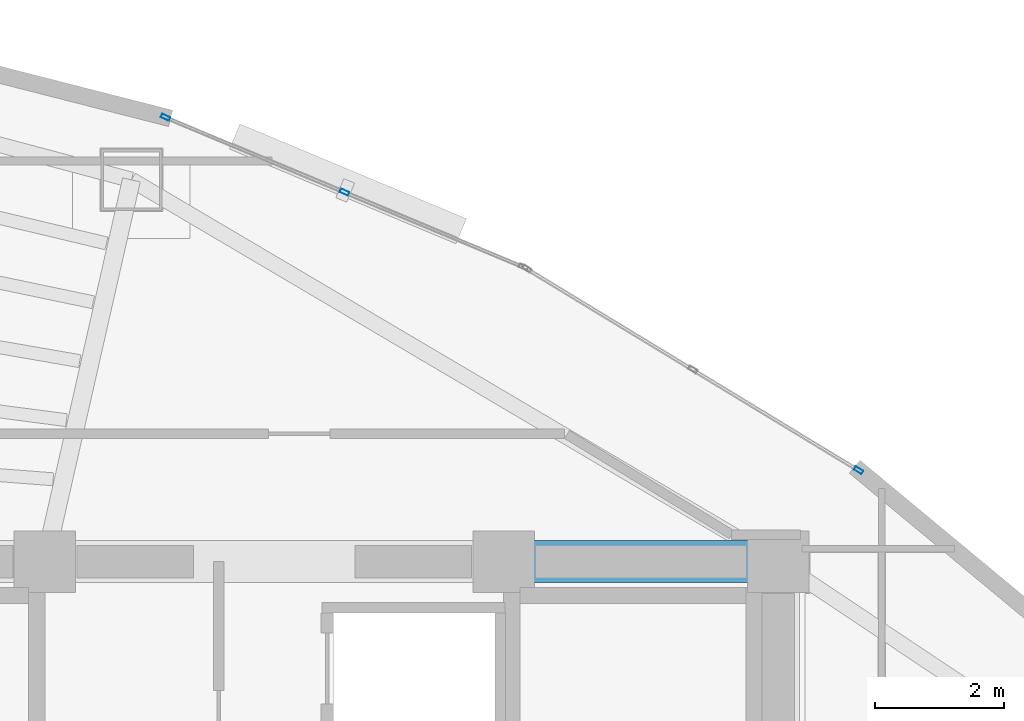
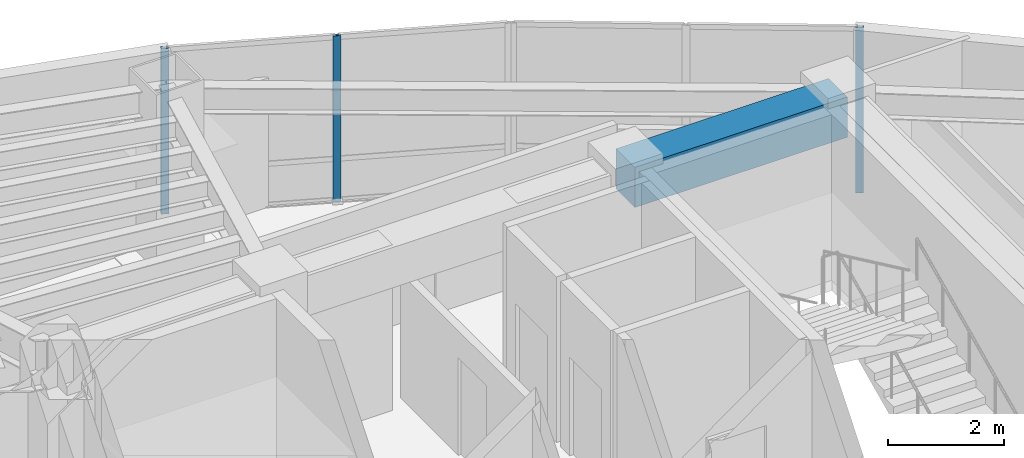
# One storey, part 9 of 15: 3 members, 1 beam, 2 elements without a shape of their own.
"""IFC4 building model written with IfcOpenShell, lengths in metres."""

import ifcopenshell
import ifcopenshell.guid

model = None  # the IFC model being written
_history = None  # IfcOwnerHistory: only IFC2X3 demands one
_inside = {}  # id of a spatial element -> (the spatial element, [elements in it])
_under = {}  # id of a project, library or spatial element -> (it, [spatial elements below it])
_declared = {}  # id of a project -> (the project, [libraries it declares])
_typed = {}  # id of a type object -> (the type object, [elements of that type])
_made_of = {}  # id of a material, layer set ... -> (it, [elements and type objects made of it])


def new_model(schema):
    """Start an empty IFC model of exactly this schema.

    Asked for "IFC4X3", IfcOpenShell would pick the latest addendum, in which some entities
    have other attributes; the version numbers below select the first issue.
    IFC2X3 requires an IfcOwnerHistory on every rooted entity: one is made here for all.
    """
    global model, _history
    if schema == "IFC4X3":
        model = ifcopenshell.file(schema_version=(4, 3, 0, 0))
    else:
        model = ifcopenshell.file(schema=schema)
    _inside.clear()
    _under.clear()
    _declared.clear()
    _typed.clear()
    _made_of.clear()
    _history = None
    if model.schema == "IFC2X3":
        org = make("IfcOrganization", Name="unknown")
        user = make(
            "IfcPersonAndOrganization",
            ThePerson=make("IfcPerson", FamilyName="unknown"),
            TheOrganization=org,
        )
        app = make(
            "IfcApplication",
            ApplicationDeveloper=org,
            Version="unknown",
            ApplicationFullName="unknown",
            ApplicationIdentifier="unknown",
        )
        _history = make(
            "IfcOwnerHistory",
            OwningUser=user,
            OwningApplication=app,
            ChangeAction="ADDED",
            CreationDate=0,
        )
    return model


def make(cls, **values):
    """One entity of the class cls with the attributes given. An attribute that is None is left unset."""
    return model.create_entity(
        cls, **{name: value for name, value in values.items() if value is not None}
    )


def rooted(cls, **values):
    """An entity with a GlobalId (a new one), such as an element, a storey or a relation."""
    return make(cls, GlobalId=ifcopenshell.guid.new(), OwnerHistory=_history, **values)


def si_unit(unit_type, name, prefix=None):
    """IfcSIUnit, for example si_unit("LENGTHUNIT", "METRE", prefix="MILLI")."""
    return make("IfcSIUnit", UnitType=unit_type, Prefix=prefix, Name=name)


def assignment(units):
    """IfcUnitAssignment: the units of a project."""
    return None if units is None else make("IfcUnitAssignment", Units=units)


def point(xyz):
    """IfcCartesianPoint."""
    return None if xyz is None else make("IfcCartesianPoint", Coordinates=xyz)


def direction(xyz):
    """IfcDirection."""
    return None if xyz is None else make("IfcDirection", DirectionRatios=xyz)


def frame(location, z_axis=None, x_axis=None):
    """IfcAxis2Placement3D, a coordinate frame: its origin and axes. An axis left out is left unset."""
    return make(
        "IfcAxis2Placement3D",
        Location=point(location),
        Axis=direction(z_axis),
        RefDirection=direction(x_axis),
    )


def frame_2d(location, x_axis=None):
    """IfcAxis2Placement2D, a coordinate frame in the plane: its origin and x axis."""
    return make(
        "IfcAxis2Placement2D", Location=point(location), RefDirection=direction(x_axis)
    )


def origin():
    """The frame at (0, 0, 0) with its axes left unset."""
    return frame((0.0, 0.0, 0.0))


def origin_2d():
    """The frame at (0, 0) in the plane with its x axis left unset."""
    return frame_2d((0.0, 0.0))


def place(relative_to, where):
    """IfcLocalPlacement: puts the frame where relative to a parent placement (None: the world)."""
    return make(
        "IfcLocalPlacement", PlacementRelTo=relative_to, RelativePlacement=where
    )


def context(
    kind, dimensions, precision=None, world=None, true_north=None, identifier=None
):
    """IfcGeometricRepresentationContext, for example the 3D "Model" context."""
    return make(
        "IfcGeometricRepresentationContext",
        ContextIdentifier=identifier,
        ContextType=kind,
        CoordinateSpaceDimension=dimensions,
        Precision=precision,
        WorldCoordinateSystem=world,
        TrueNorth=true_north,
    )


def subcontext(parent, identifier, kind, view, scale=None):
    """IfcGeometricRepresentationSubContext, for example "Body" below "Model"."""
    return make(
        "IfcGeometricRepresentationSubContext",
        ContextIdentifier=identifier,
        ContextType=kind,
        ParentContext=parent,
        TargetScale=scale,
        TargetView=view,
    )


def project(units=None, contexts=None):
    """IfcProject with its units and contexts."""
    return rooted(
        "IfcProject",
        Name="project",
        RepresentationContexts=contexts,
        UnitsInContext=assignment(units),
    )


def spatial(cls, under=None, at=None, **own):
    """A site, building, storey or space (cls), placed at a placement, below another one or the project."""
    s = rooted(cls, ObjectPlacement=at, **own)
    if under is not None:
        _under.setdefault(under.id(), (under, []))[1].append(s)
    return s


def profile(cls, at=None, kind="AREA", **sizes):
    """A parametric profile (cls). Its sizes go by their IFC names, for example OverallWidth=200.0."""
    return make(cls, ProfileType=kind, Position=at, **sizes)


def rectangle(**sizes):
    """IfcRectangleProfileDef."""
    return profile("IfcRectangleProfileDef", **sizes)


def hollow_rectangle(**sizes):
    """IfcRectangleHollowProfileDef."""
    return profile("IfcRectangleHollowProfileDef", **sizes)


def extrude(swept, where, along, depth):
    """IfcExtrudedAreaSolid: the profile swept, set in the frame where, extruded along a direction by depth."""
    return make(
        "IfcExtrudedAreaSolid",
        SweptArea=swept,
        Position=where,
        ExtrudedDirection=direction(along),
        Depth=depth,
    )


def shape(context_of_items, identifier, shape_type, items):
    """IfcShapeRepresentation: the items that make up one representation, for example the "Body"."""
    return make(
        "IfcShapeRepresentation",
        ContextOfItems=context_of_items,
        RepresentationIdentifier=identifier,
        RepresentationType=shape_type,
        Items=items,
    )


def material(Name=None, Category=None):
    """IfcMaterial."""
    return make("IfcMaterial", Name=Name, Category=Category)


def layer(
    of_material, thickness, ventilated=None, Name=None, Category=None, Priority=None
):
    """IfcMaterialLayer: one layer of a wall or slab, of a material (None: an air gap)."""
    return make(
        "IfcMaterialLayer",
        Material=of_material,
        LayerThickness=thickness,
        IsVentilated=ventilated,
        Name=Name,
        Category=Category,
        Priority=Priority,
    )


def layer_set(layers, Name=None):
    """IfcMaterialLayerSet."""
    return make("IfcMaterialLayerSet", MaterialLayers=layers, LayerSetName=Name)


def material_profile(
    of_material, cross_section, Name=None, Category=None, Priority=None
):
    """IfcMaterialProfile: a cross section and its material."""
    return make(
        "IfcMaterialProfile",
        Name=Name,
        Material=of_material,
        Profile=cross_section,
        Priority=Priority,
        Category=Category,
    )


def profile_set(profiles, Name=None, composite=None):
    """IfcMaterialProfileSet."""
    return make(
        "IfcMaterialProfileSet",
        Name=Name,
        MaterialProfiles=profiles,
        CompositeProfile=composite,
    )


def made_of(thing, what):
    """Note that an element or type object is made of a material, layer set ...; save() writes the relation."""
    if what is not None:
        _made_of.setdefault(what.id(), (what, []))[1].append(thing)
    return thing


def type_object(cls, material=None, **own):
    """A type object (cls), such as IfcWallType, which elements share."""
    return made_of(rooted(cls, **own), material)


def element(
    cls,
    number,
    at=None,
    inside=None,
    cuts=None,
    type_object=None,
    material=None,
    context=None,
    identifier="Body",
    shape_type=None,
    held_by="IfcProductDefinitionShape",
    body=None,
    shapes=None,
    **own,
):
    """One element of the class cls, such as IfcWall. Its Tag is "e" and its number.

    at: its placement. inside: the storey or other place that contains it. cuts: it is an
    opening in that element (IfcRelVoidsElement). A single representation is given by context,
    identifier, shape_type and body (its items); several are given by shapes. held_by: the class
    of the entity that holds the representations. save() writes the other relations.
    """
    e = rooted(cls, Tag="e%d" % number, ObjectPlacement=at, **own)
    if body is not None:
        shapes = [shape(context, identifier, shape_type, body)]
    if shapes is not None:
        e.Representation = make(held_by, Representations=shapes)
    if inside is not None:
        _inside.setdefault(inside.id(), (inside, []))[1].append(e)
    if cuts is not None:
        rooted(
            "IfcRelVoidsElement", RelatingBuildingElement=cuts, RelatedOpeningElement=e
        )
    if type_object is not None:
        _typed.setdefault(type_object.id(), (type_object, []))[1].append(e)
    return made_of(e, material)


def aggregate(whole, parts):
    """IfcRelAggregates: a whole, such as a stair, and the parts it consists of."""
    return rooted("IfcRelAggregates", RelatingObject=whole, RelatedObjects=parts)


def save(model, path):
    """Write the relations noted so far, then the file.

    IfcRelAggregates (storeys below a building ...), IfcRelContainedInSpatialStructure (elements
    in a storey), IfcRelDefinesByType, IfcRelAssociatesMaterial and IfcRelDeclares: one each for
    every whole, place, type object, material and project.
    """
    for whole, parts in _under.values():
        aggregate(whole, parts)
    for where, things in _inside.values():
        rooted(
            "IfcRelContainedInSpatialStructure",
            RelatedElements=things,
            RelatingStructure=where,
        )
    for kind, things in _typed.values():
        rooted("IfcRelDefinesByType", RelatedObjects=things, RelatingType=kind)
    for what, things in _made_of.values():
        rooted("IfcRelAssociatesMaterial", RelatedObjects=things, RelatingMaterial=what)
    for by, libraries in _declared.values():
        rooted("IfcRelDeclares", RelatingContext=by, RelatedDefinitions=libraries)
    model.write(path)


model = new_model("IFC4")

# Units and contexts
model_context = context("Model", 3, precision=1e-05, world=origin(), true_north=direction((0.0, 1.0)))
body_context = subcontext(model_context, "Body", "Model", "MODEL_VIEW")
ifc_project = project(units=[si_unit("LENGTHUNIT", "METRE"), si_unit("AREAUNIT", "SQUARE_METRE"), si_unit("VOLUMEUNIT", "CUBIC_METRE"), si_unit("PLANEANGLEUNIT", "RADIAN"), si_unit("MASSUNIT", "GRAM", prefix="KILO")], contexts=[model_context])

# Site, building, storey
site_placement = place(None, origin())
site = spatial("IfcSite", under=ifc_project, at=site_placement, CompositionType="ELEMENT")
building_placement = place(site_placement, origin())
building = spatial("IfcBuilding", under=site, at=building_placement, Name="Menara Vayukalpa", CompositionType="ELEMENT")
storey_placement = place(building_placement, frame((0.0, 0.0, 184.080078125)))
storey = spatial("IfcBuildingStorey", under=building, at=storey_placement, Name="L46", CompositionType="ELEMENT", Elevation=184.080078125)

# Beam
ifc_material_1 = material(Name="Concrete C60/75", Category="concrete")
ifc_material_profile_1 = material_profile(ifc_material_1, rectangle(XDim=0.64990234375, YDim=0.85009765625, at=origin_2d()), Name="RC 650x850")
ifc_profile_set_1 = profile_set([ifc_material_profile_1], Name="Concrete C60/75")
beam_type = type_object("IfcBeamType", Name="BM-CB1", PredefinedType="BEAM", material=ifc_profile_set_1)
beam_placement = place(storey_placement, frame((29.14990234375, 26.800048828125, 3.074951171875), z_axis=(1.0, 0.0, 0.0), x_axis=(0.0, 1.0, 0.0)))
element("IfcBeam", 1, at=beam_placement, inside=storey, type_object=beam_type, Name="L46 Core Tie Beam CBR6", PredefinedType="BEAM", context=body_context, shape_type="SweptSolid", body=[
    extrude(rectangle(XDim=0.64990234375, YDim=0.85009765625, at=origin_2d()), origin(), (0.0, 0.0, 1.0), 4.25),
])

# Curtain wall, member
ifc_material_2 = material(Name="Anodised Terracotta Aluminium Alloy 6063-T6", Category="masonry")
ifc_layer = layer(ifc_material_2, 0.139892578125)
ifc_layer_set = layer_set([ifc_layer], Name="Anodised Terracotta Aluminium Alloy 6063-T6")
curtain_wall_type = type_object("IfcCurtainWallType", Name="CW-CW5", PredefinedType="USERDEFINED", material=ifc_layer_set)
curtain_wall_1_placement = place(storey_placement, origin())
curtain_wall_1 = element("IfcCurtainWall", 2, at=curtain_wall_1_placement, inside=storey, type_object=curtain_wall_type, Name="L46 High Rise Tapered Curtain Wall CW5 04", ObjectType="UNITISED", PredefinedType="USERDEFINED")
ifc_material_3 = material(Name="Anodised Terracotta Aluminium Alloy 6063-T6", Category="masonry")
ifc_material_profile_2 = material_profile(ifc_material_3, hollow_rectangle(XDim=0.06005859375, YDim=0.139892578125, WallThickness=0.00341796875, at=origin_2d()), Name="ALU 60x140x3.5")
ifc_profile_set_2 = profile_set([ifc_material_profile_2], Name="Anodised Terracotta Aluminium Alloy 6063-T6")
member_type = type_object("IfcMemberType", Name="CWM-CW5", PredefinedType="MULLION", material=ifc_profile_set_2)
member_1_placement = place(storey_placement, frame((34.6416015625, 28.21484375, 0.0), z_axis=(0.0, 0.0, 1.0), x_axis=(-0.519179911779, -0.854664974832, 0.0)))
member_1 = element("IfcMember", 3, at=member_1_placement, type_object=member_type, Name="CW5 mullion 1", PredefinedType="MULLION", context=body_context, shape_type="SweptSolid", body=[
    extrude(hollow_rectangle(XDim=0.06005859375, YDim=0.139892578125, WallThickness=0.00341796875, at=origin_2d()), origin(), (0.0, 0.0, 1.0), 3.5),
])
aggregate(curtain_wall_1, [member_1])

# Curtain wall, members
curtain_wall_2_placement = place(storey_placement, origin())
curtain_wall_2 = element("IfcCurtainWall", 4, at=curtain_wall_2_placement, inside=storey, type_object=curtain_wall_type, Name="L46 High Rise Tapered Curtain Wall CW5 05", ObjectType="UNITISED", PredefinedType="USERDEFINED")
member_2_placement = place(storey_placement, frame((26.686279296875, 32.518310546875, 0.0), z_axis=(0.0, 0.0, 1.0), x_axis=(-0.385902834406, -0.922539431351, 0.0)))
member_2 = element("IfcMember", 5, at=member_2_placement, type_object=member_type, Name="CW5 mullion 2", PredefinedType="MULLION", context=body_context, shape_type="SweptSolid", body=[
    extrude(hollow_rectangle(XDim=0.06005859375, YDim=0.139892578125, WallThickness=0.00341796875, at=origin_2d()), origin(), (0.0, 0.0, 1.0), 3.5),
])
member_3_placement = place(storey_placement, frame((23.916259765625, 33.677001953125, 0.0), z_axis=(0.0, 0.0, 1.0), x_axis=(-0.385902834406, -0.922539431351, 0.0)))
member_3 = element("IfcMember", 6, at=member_3_placement, type_object=member_type, Name="CW5 mullion 3", PredefinedType="MULLION", context=body_context, shape_type="SweptSolid", body=[
    extrude(hollow_rectangle(XDim=0.06005859375, YDim=0.139892578125, WallThickness=0.00341796875, at=origin_2d()), origin(), (0.0, 0.0, 1.0), 3.5),
])
aggregate(curtain_wall_2, [member_2, member_3])

save(model, "model.ifc")
